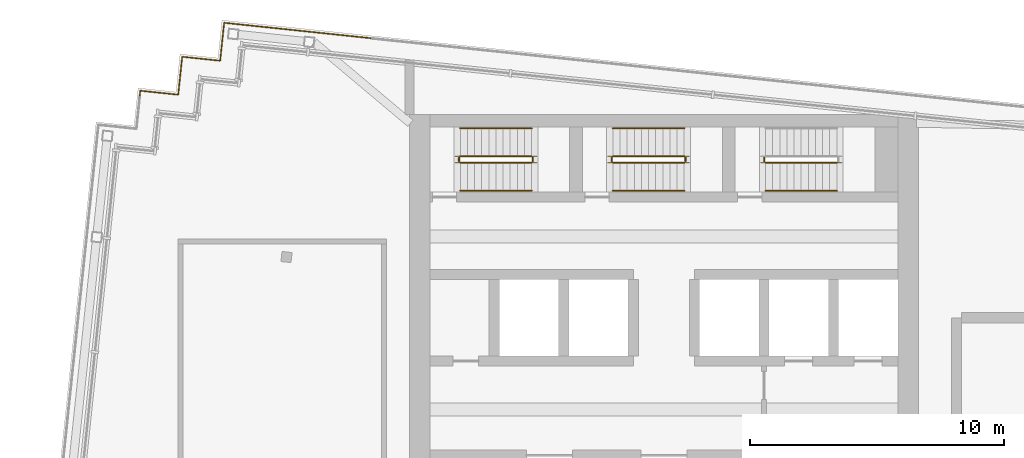
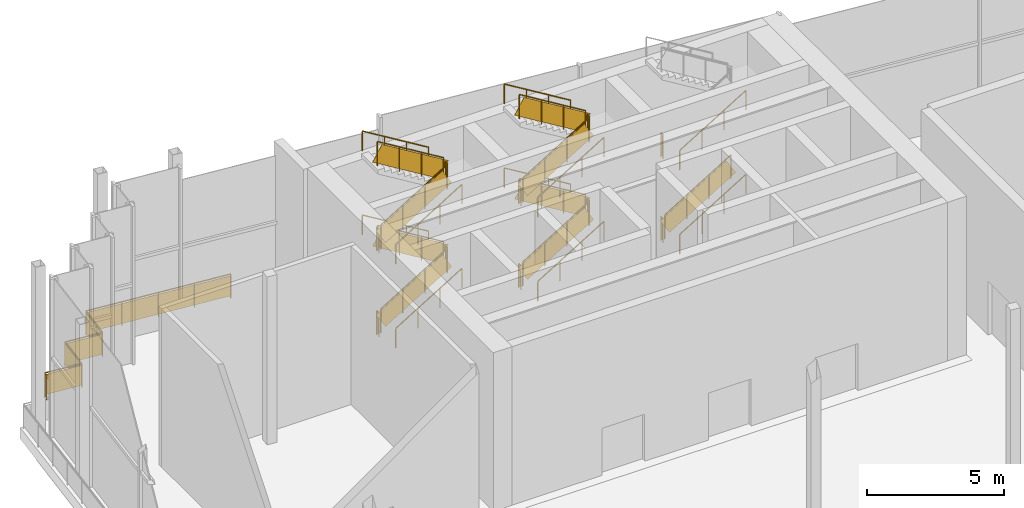
# One storey, part 12 of 14: 30 railings.
"""IFC4 building model written with IfcOpenShell, lengths in metres."""

from ifc_helpers import new_model, si_unit, direction, frame, origin, origin_2d, place, context, subcontext, project, spatial, rectangle, circle, extrude, material, type_object, element, save


model = new_model("IFC4")

# Units and contexts
model_context = context("Model", 3, precision=1e-05, world=origin(), true_north=direction((0.0, 1.0)))
body_context = subcontext(model_context, "Body", "Model", "MODEL_VIEW")
ifc_project = project(units=[si_unit("LENGTHUNIT", "METRE"), si_unit("AREAUNIT", "SQUARE_METRE"), si_unit("VOLUMEUNIT", "CUBIC_METRE"), si_unit("PLANEANGLEUNIT", "RADIAN"), si_unit("MASSUNIT", "GRAM", prefix="KILO")], contexts=[model_context])

# Site, building, storey
site_placement = place(None, origin())
site = spatial("IfcSite", under=ifc_project, at=site_placement, CompositionType="ELEMENT")
building_placement = place(site_placement, origin())
building = spatial("IfcBuilding", under=site, at=building_placement, Name="Vidyagriha Tower", CompositionType="ELEMENT")
storey_placement = place(building_placement, frame((0.0, 0.0, 301.699951171875)))
storey = spatial("IfcBuildingStorey", under=building, at=storey_placement, Name="L78", CompositionType="ELEMENT", Elevation=301.699951171875)

# Railings
ifc_material_1 = material(Name="Steel ASTM A500 Grade C black painted", Category="steel")
railing_type_1 = type_object("IfcRailingType", Name="Gallery guard 1100", PredefinedType="GUARDRAIL", material=ifc_material_1)
railing_1_placement = place(storey_placement, frame((-20.600341796875, 20.727783203125, 0.0)))
element("IfcRailing", 1, at=railing_1_placement, inside=storey, type_object=railing_type_1, Name="Gallery guard L78 9", PredefinedType="GUARDRAIL", context=body_context, shape_type="SweptSolid", body=[
    extrude(circle(Radius=0.02490234375, at=origin_2d()), frame((0.0, 0.0, 1.0751953125), z_axis=(0.10506634941, 0.994465214184, 0.0), x_axis=(-0.994465214184, 0.10506634941, 0.0)), (0.0, 0.0, 1.0), 0.199951171875),
    extrude(circle(Radius=0.02490234375, at=origin_2d()), frame((0.02099609375, 0.19873046875, 1.0751953125), z_axis=(0.994525057048, -0.104498377516, 0.0), x_axis=(0.104498377516, 0.994525057048, 0.0)), (0.0, 0.0, 1.0), 1.5),
    extrude(circle(Radius=0.02490234375, at=origin_2d()), frame((1.5126953125, 0.0419921875, 1.0751953125), z_axis=(0.104498377516, 0.994525057048, 0.0), x_axis=(-0.994525057048, 0.104498377516, 0.0)), (0.0, 0.0, 1.0), 1.5),
    extrude(circle(Radius=0.02490234375, at=origin_2d()), frame((1.66943359375, 1.53369140625, 1.0751953125), z_axis=(0.994525057048, -0.104498377516, 0.0), x_axis=(0.104498377516, 0.994525057048, 0.0)), (0.0, 0.0, 1.0), 1.5),
    extrude(circle(Radius=0.02490234375, at=origin_2d()), frame((3.1611328125, 1.376953125, 1.0751953125), z_axis=(0.104659366031, 0.994508128223, 0.0), x_axis=(-0.994508128223, 0.104659366031, 0.0)), (0.0, 0.0, 1.0), 1.5),
    extrude(circle(Radius=0.02490234375, at=origin_2d()), frame((3.318115234375, 2.86865234375, 1.0751953125), z_axis=(0.994523198252, -0.104516066418, 0.0), x_axis=(0.104516066418, 0.994523198252, 0.0)), (0.0, 0.0, 1.0), 5.800048828125),
    extrude(circle(Radius=0.02001953125, at=origin_2d()), origin(), (0.0, 0.0, 1.0), 1.050048828125),
    extrude(circle(Radius=0.02001953125, at=origin_2d()), frame((0.02099609375, 0.19873046875, 0.0)), (0.0, 0.0, 1.0), 1.050048828125),
    extrude(circle(Radius=0.02001953125, at=origin_2d()), frame((1.5126953125, 0.0419921875, 0.0)), (0.0, 0.0, 1.0), 1.050048828125),
    extrude(circle(Radius=0.02001953125, at=origin_2d()), frame((1.66943359375, 1.53369140625, 0.0)), (0.0, 0.0, 1.0), 1.050048828125),
    extrude(circle(Radius=0.02001953125, at=origin_2d()), frame((3.1611328125, 1.376953125, 0.0)), (0.0, 0.0, 1.0), 1.050048828125),
    extrude(circle(Radius=0.02001953125, at=origin_2d()), frame((3.318115234375, 2.86865234375, 0.0)), (0.0, 0.0, 1.0), 1.050048828125),
    extrude(circle(Radius=0.02001953125, at=origin_2d()), frame((4.76025390625, 2.717041015625, 0.0)), (0.0, 0.0, 1.0), 1.050048828125),
    extrude(circle(Radius=0.02001953125, at=origin_2d()), frame((6.2021484375, 2.5654296875, 0.0)), (0.0, 0.0, 1.0), 1.050048828125),
    extrude(circle(Radius=0.02001953125, at=origin_2d()), frame((7.644287109375, 2.4140625, 0.0)), (0.0, 0.0, 1.0), 1.050048828125),
    extrude(circle(Radius=0.02001953125, at=origin_2d()), frame((9.08642578125, 2.262451171875, 0.0)), (0.0, 0.0, 1.0), 1.050048828125),
    extrude(rectangle(XDim=0.010009765625, YDim=0.900146484375, at=origin_2d()), frame((0.0, 0.0, 0.550048828125), z_axis=(0.10506634941, 0.994465214184, 0.0), x_axis=(-0.994465214184, 0.10506634941, 0.0)), (0.0, 0.0, 1.0), 0.199951171875),
    extrude(rectangle(XDim=0.010009765625, YDim=0.900146484375, at=origin_2d()), frame((0.02099609375, 0.19873046875, 0.550048828125), z_axis=(0.994525057048, -0.104498377516, 0.0), x_axis=(0.104498377516, 0.994525057048, 0.0)), (0.0, 0.0, 1.0), 1.5),
    extrude(rectangle(XDim=0.010009765625, YDim=0.900146484375, at=origin_2d()), frame((1.5126953125, 0.0419921875, 0.550048828125), z_axis=(0.104498377516, 0.994525057048, 0.0), x_axis=(-0.994525057048, 0.104498377516, 0.0)), (0.0, 0.0, 1.0), 1.5),
    extrude(rectangle(XDim=0.010009765625, YDim=0.900146484375, at=origin_2d()), frame((1.66943359375, 1.53369140625, 0.550048828125), z_axis=(0.994525057048, -0.104498377516, 0.0), x_axis=(0.104498377516, 0.994525057048, 0.0)), (0.0, 0.0, 1.0), 1.5),
    extrude(rectangle(XDim=0.010009765625, YDim=0.900146484375, at=origin_2d()), frame((3.1611328125, 1.376953125, 0.550048828125), z_axis=(0.104659366031, 0.994508128223, 0.0), x_axis=(-0.994508128223, 0.104659366031, 0.0)), (0.0, 0.0, 1.0), 1.5),
    extrude(rectangle(XDim=0.010009765625, YDim=0.900146484375, at=origin_2d()), frame((3.318115234375, 2.86865234375, 0.550048828125), z_axis=(0.994523198252, -0.104516066418, 0.0), x_axis=(0.104516066418, 0.994523198252, 0.0)), (0.0, 0.0, 1.0), 5.800048828125),
])
ifc_material_2 = material(Name="Steel ASTM A500 Grade C", Category="steel")
railing_type_2 = type_object("IfcRailingType", Name="Stair guard 1100 mm, steel balustrade", PredefinedType="GUARDRAIL", material=ifc_material_2)
railing_2_placement = place(storey_placement, frame((-8.0, 18.10009765625, 0.17041015625)))
element("IfcRailing", 2, at=railing_2_placement, inside=storey, type_object=railing_type_2, Name="L78 ST1 stair guard 1", PredefinedType="GUARDRAIL", context=body_context, shape_type="SweptSolid", body=[
    extrude(circle(Radius=0.02392578125, at=origin_2d()), frame((0.0, 0.0, 1.076171875), z_axis=(0.854169791009, 0.0, 0.51999420009), x_axis=(0.0, 1.0, 0.0)), (0.0, 0.0, 1.0), 3.278076171875),
    extrude(circle(Radius=0.02099609375, at=origin_2d()), origin(), (0.0, 0.0, 1.0), 1.052001953125),
    extrude(circle(Radius=0.02099609375, at=origin_2d()), frame((0.933349609375, 0.0, 0.568115234375)), (0.0, 0.0, 1.0), 1.052001953125),
    extrude(circle(Radius=0.02099609375, at=origin_2d()), frame((1.86669921875, 0.0, 1.136474609375)), (0.0, 0.0, 1.0), 1.052001953125),
    extrude(circle(Radius=0.02099609375, at=origin_2d()), frame((2.800048828125, 0.0, 1.70458984375)), (0.0, 0.0, 1.0), 1.052001953125),
    extrude(rectangle(XDim=0.010009765625, YDim=0.7705078125, at=origin_2d()), frame((0.0, 0.0, 0.551025390625), z_axis=(0.854169791009, 0.0, 0.51999420009), x_axis=(0.0, 1.0, 0.0)), (0.0, 0.0, 1.0), 3.278076171875),
])
railing_3_placement = place(storey_placement, frame((-5.14990234375, 18.14990234375, 1.875)))
element("IfcRailing", 3, at=railing_3_placement, inside=storey, type_object=railing_type_2, Name="L78 ST1 stair guard 2", PredefinedType="GUARDRAIL", context=body_context, shape_type="SweptSolid", body=[
    extrude(circle(Radius=0.02392578125, at=origin_2d()), frame((0.0, 0.0, 1.076171875), z_axis=(0.0, 1.0, 0.0), x_axis=(-1.0, 0.0, 0.0)), (0.0, 0.0, 1.0), 0.150146484375),
    extrude(circle(Radius=0.02099609375, at=origin_2d()), origin(), (0.0, 0.0, 1.0), 1.052001953125),
    extrude(circle(Radius=0.02099609375, at=origin_2d()), frame((0.0, 0.150146484375, 0.0)), (0.0, 0.0, 1.0), 1.052001953125),
    extrude(rectangle(XDim=0.010009765625, YDim=0.902099609375, at=origin_2d()), frame((0.0, 0.0, 0.551025390625), z_axis=(0.0, 1.0, 0.0), x_axis=(-1.0, 0.0, 0.0)), (0.0, 0.0, 1.0), 0.150146484375),
])
railing_4_placement = place(storey_placement, frame((-5.199951171875, 18.35009765625, 2.04541015625)))
element("IfcRailing", 4, at=railing_4_placement, inside=storey, type_object=railing_type_2, Name="L78 ST1 stair guard 3", PredefinedType="GUARDRAIL", context=body_context, shape_type="SweptSolid", body=[
    extrude(circle(Radius=0.02392578125, at=origin_2d()), frame((0.0, 0.0, 1.076171875), z_axis=(-0.854169791009, 0.0, 0.51999420009), x_axis=(0.0, -1.0, 0.0)), (0.0, 0.0, 1.0), 3.278076171875),
    extrude(circle(Radius=0.02099609375, at=origin_2d()), origin(), (0.0, 0.0, 1.0), 1.052001953125),
    extrude(circle(Radius=0.02099609375, at=origin_2d()), frame((-0.933349609375, 0.0, 0.568115234375)), (0.0, 0.0, 1.0), 1.052001953125),
    extrude(circle(Radius=0.02099609375, at=origin_2d()), frame((-1.86669921875, 0.0, 1.136474609375)), (0.0, 0.0, 1.0), 1.052001953125),
    extrude(circle(Radius=0.02099609375, at=origin_2d()), frame((-2.800048828125, 0.0, 1.70458984375)), (0.0, 0.0, 1.0), 1.052001953125),
    extrude(rectangle(XDim=0.010009765625, YDim=0.7705078125, at=origin_2d()), frame((0.0, 0.0, 0.551025390625), z_axis=(-0.854169791009, 0.0, 0.51999420009), x_axis=(0.0, -1.0, 0.0)), (0.0, 0.0, 1.0), 3.278076171875),
])
railing_5_placement = place(storey_placement, frame((-8.050048828125, 18.14990234375, 3.75)))
element("IfcRailing", 5, at=railing_5_placement, inside=storey, type_object=railing_type_2, Name="L78 ST1 stair guard 4", PredefinedType="GUARDRAIL", context=body_context, shape_type="SweptSolid", body=[
    extrude(circle(Radius=0.02392578125, at=origin_2d()), frame((0.0, 0.0, 1.076171875), z_axis=(0.0, 1.0, 0.0), x_axis=(-1.0, 0.0, 0.0)), (0.0, 0.0, 1.0), 0.150146484375),
    extrude(circle(Radius=0.02099609375, at=origin_2d()), origin(), (0.0, 0.0, 1.0), 1.052001953125),
    extrude(circle(Radius=0.02099609375, at=origin_2d()), frame((0.0, 0.150146484375, 0.0)), (0.0, 0.0, 1.0), 1.052001953125),
    extrude(rectangle(XDim=0.010009765625, YDim=0.902099609375, at=origin_2d()), frame((0.0, 0.0, 0.551025390625), z_axis=(0.0, 1.0, 0.0), x_axis=(-1.0, 0.0, 0.0)), (0.0, 0.0, 1.0), 0.150146484375),
])
railing_6_placement = place(storey_placement, frame((-8.0, 18.10009765625, 3.92041015625)))
element("IfcRailing", 6, at=railing_6_placement, inside=storey, type_object=railing_type_2, Name="L78 ST1 stair guard 5", PredefinedType="GUARDRAIL", context=body_context, shape_type="SweptSolid", body=[
    extrude(circle(Radius=0.02392578125, at=origin_2d()), frame((0.0, 0.0, 1.076171875), z_axis=(0.854169791009, 0.0, 0.51999420009), x_axis=(0.0, 1.0, 0.0)), (0.0, 0.0, 1.0), 3.278076171875),
    extrude(circle(Radius=0.02099609375, at=origin_2d()), origin(), (0.0, 0.0, 1.0), 1.052001953125),
    extrude(circle(Radius=0.02099609375, at=origin_2d()), frame((0.933349609375, 0.0, 0.568115234375)), (0.0, 0.0, 1.0), 1.052001953125),
    extrude(circle(Radius=0.02099609375, at=origin_2d()), frame((1.86669921875, 0.0, 1.136474609375)), (0.0, 0.0, 1.0), 1.052001953125),
    extrude(circle(Radius=0.02099609375, at=origin_2d()), frame((2.800048828125, 0.0, 1.70458984375)), (0.0, 0.0, 1.0), 1.052001953125),
    extrude(rectangle(XDim=0.010009765625, YDim=0.7705078125, at=origin_2d()), frame((0.0, 0.0, 0.551025390625), z_axis=(0.854169791009, 0.0, 0.51999420009), x_axis=(0.0, 1.0, 0.0)), (0.0, 0.0, 1.0), 3.278076171875),
])
railing_7_placement = place(storey_placement, frame((-5.14990234375, 18.14990234375, 5.625)))
element("IfcRailing", 7, at=railing_7_placement, inside=storey, type_object=railing_type_2, Name="L78 ST1 stair guard 6", PredefinedType="GUARDRAIL", context=body_context, shape_type="SweptSolid", body=[
    extrude(circle(Radius=0.02392578125, at=origin_2d()), frame((0.0, 0.0, 1.076171875), z_axis=(0.0, 1.0, 0.0), x_axis=(-1.0, 0.0, 0.0)), (0.0, 0.0, 1.0), 0.150146484375),
    extrude(circle(Radius=0.02099609375, at=origin_2d()), origin(), (0.0, 0.0, 1.0), 1.052001953125),
    extrude(circle(Radius=0.02099609375, at=origin_2d()), frame((0.0, 0.150146484375, 0.0)), (0.0, 0.0, 1.0), 1.052001953125),
    extrude(rectangle(XDim=0.010009765625, YDim=0.902099609375, at=origin_2d()), frame((0.0, 0.0, 0.551025390625), z_axis=(0.0, 1.0, 0.0), x_axis=(-1.0, 0.0, 0.0)), (0.0, 0.0, 1.0), 0.150146484375),
])
railing_8_placement = place(storey_placement, frame((-5.199951171875, 18.35009765625, 5.79541015625)))
element("IfcRailing", 8, at=railing_8_placement, inside=storey, type_object=railing_type_2, Name="L78 ST1 stair guard 7", PredefinedType="GUARDRAIL", context=body_context, shape_type="SweptSolid", body=[
    extrude(circle(Radius=0.02392578125, at=origin_2d()), frame((0.0, 0.0, 1.076171875), z_axis=(-0.854169791009, 0.0, 0.51999420009), x_axis=(0.0, -1.0, 0.0)), (0.0, 0.0, 1.0), 3.278076171875),
    extrude(circle(Radius=0.02099609375, at=origin_2d()), origin(), (0.0, 0.0, 1.0), 1.052001953125),
    extrude(circle(Radius=0.02099609375, at=origin_2d()), frame((-0.933349609375, 0.0, 0.568115234375)), (0.0, 0.0, 1.0), 1.052001953125),
    extrude(circle(Radius=0.02099609375, at=origin_2d()), frame((-1.86669921875, 0.0, 1.136474609375)), (0.0, 0.0, 1.0), 1.052001953125),
    extrude(circle(Radius=0.02099609375, at=origin_2d()), frame((-2.800048828125, 0.0, 1.70458984375)), (0.0, 0.0, 1.0), 1.052001953125),
    extrude(rectangle(XDim=0.010009765625, YDim=0.7705078125, at=origin_2d()), frame((0.0, 0.0, 0.551025390625), z_axis=(-0.854169791009, 0.0, 0.51999420009), x_axis=(0.0, -1.0, 0.0)), (0.0, 0.0, 1.0), 3.278076171875),
])
railing_9_placement = place(storey_placement, frame((-8.050048828125, 18.14990234375, 0.0)))
element("IfcRailing", 9, at=railing_9_placement, inside=storey, type_object=railing_type_2, Name="L78 ST1 stair guard 8", PredefinedType="GUARDRAIL", context=body_context, shape_type="SweptSolid", body=[
    extrude(circle(Radius=0.02392578125, at=origin_2d()), frame((0.0, 0.0, 1.076171875), z_axis=(0.0, 1.0, 0.0), x_axis=(-1.0, 0.0, 0.0)), (0.0, 0.0, 1.0), 0.150146484375),
    extrude(circle(Radius=0.02099609375, at=origin_2d()), origin(), (0.0, 0.0, 1.0), 1.052001953125),
    extrude(circle(Radius=0.02099609375, at=origin_2d()), frame((0.0, 0.150146484375, 0.0)), (0.0, 0.0, 1.0), 1.052001953125),
    extrude(rectangle(XDim=0.010009765625, YDim=0.902099609375, at=origin_2d()), frame((0.0, 0.0, 0.551025390625), z_axis=(0.0, 1.0, 0.0), x_axis=(-1.0, 0.0, 0.0)), (0.0, 0.0, 1.0), 0.150146484375),
])
railing_10_placement = place(storey_placement, frame((-2.0, 18.10009765625, 0.17041015625)))
element("IfcRailing", 10, at=railing_10_placement, inside=storey, type_object=railing_type_2, Name="L78 ST2 stair guard 1", PredefinedType="GUARDRAIL", context=body_context, shape_type="SweptSolid", body=[
    extrude(circle(Radius=0.02392578125, at=origin_2d()), frame((0.0, 0.0, 1.076171875), z_axis=(0.854169791009, 0.0, 0.51999420009), x_axis=(0.0, 1.0, 0.0)), (0.0, 0.0, 1.0), 3.278076171875),
    extrude(circle(Radius=0.02099609375, at=origin_2d()), origin(), (0.0, 0.0, 1.0), 1.052001953125),
    extrude(circle(Radius=0.02099609375, at=origin_2d()), frame((0.933349609375, 0.0, 0.568115234375)), (0.0, 0.0, 1.0), 1.052001953125),
    extrude(circle(Radius=0.02099609375, at=origin_2d()), frame((1.86669921875, 0.0, 1.136474609375)), (0.0, 0.0, 1.0), 1.052001953125),
    extrude(circle(Radius=0.02099609375, at=origin_2d()), frame((2.800048828125, 0.0, 1.70458984375)), (0.0, 0.0, 1.0), 1.052001953125),
    extrude(rectangle(XDim=0.010009765625, YDim=0.7705078125, at=origin_2d()), frame((0.0, 0.0, 0.551025390625), z_axis=(0.854169791009, 0.0, 0.51999420009), x_axis=(0.0, 1.0, 0.0)), (0.0, 0.0, 1.0), 3.278076171875),
])
railing_11_placement = place(storey_placement, frame((0.85009765625, 18.14990234375, 1.875)))
element("IfcRailing", 11, at=railing_11_placement, inside=storey, type_object=railing_type_2, Name="L78 ST2 stair guard 2", PredefinedType="GUARDRAIL", context=body_context, shape_type="SweptSolid", body=[
    extrude(circle(Radius=0.02392578125, at=origin_2d()), frame((0.0, 0.0, 1.076171875), z_axis=(0.0, 1.0, 0.0), x_axis=(-1.0, 0.0, 0.0)), (0.0, 0.0, 1.0), 0.150146484375),
    extrude(circle(Radius=0.02099609375, at=origin_2d()), origin(), (0.0, 0.0, 1.0), 1.052001953125),
    extrude(circle(Radius=0.02099609375, at=origin_2d()), frame((0.0, 0.150146484375, 0.0)), (0.0, 0.0, 1.0), 1.052001953125),
    extrude(rectangle(XDim=0.010009765625, YDim=0.902099609375, at=origin_2d()), frame((0.0, 0.0, 0.551025390625), z_axis=(0.0, 1.0, 0.0), x_axis=(-1.0, 0.0, 0.0)), (0.0, 0.0, 1.0), 0.150146484375),
])
railing_12_placement = place(storey_placement, frame((0.800048828125, 18.35009765625, 2.04541015625)))
element("IfcRailing", 12, at=railing_12_placement, inside=storey, type_object=railing_type_2, Name="L78 ST2 stair guard 3", PredefinedType="GUARDRAIL", context=body_context, shape_type="SweptSolid", body=[
    extrude(circle(Radius=0.02392578125, at=origin_2d()), frame((0.0, 0.0, 1.076171875), z_axis=(-0.854169791009, 0.0, 0.51999420009), x_axis=(0.0, -1.0, 0.0)), (0.0, 0.0, 1.0), 3.278076171875),
    extrude(circle(Radius=0.02099609375, at=origin_2d()), origin(), (0.0, 0.0, 1.0), 1.052001953125),
    extrude(circle(Radius=0.02099609375, at=origin_2d()), frame((-0.933349609375, 0.0, 0.568115234375)), (0.0, 0.0, 1.0), 1.052001953125),
    extrude(circle(Radius=0.02099609375, at=origin_2d()), frame((-1.86669921875, 0.0, 1.136474609375)), (0.0, 0.0, 1.0), 1.052001953125),
    extrude(circle(Radius=0.02099609375, at=origin_2d()), frame((-2.800048828125, 0.0, 1.70458984375)), (0.0, 0.0, 1.0), 1.052001953125),
    extrude(rectangle(XDim=0.010009765625, YDim=0.7705078125, at=origin_2d()), frame((0.0, 0.0, 0.551025390625), z_axis=(-0.854169791009, 0.0, 0.51999420009), x_axis=(0.0, -1.0, 0.0)), (0.0, 0.0, 1.0), 3.278076171875),
])
railing_13_placement = place(storey_placement, frame((-2.050048828125, 18.14990234375, 3.75)))
element("IfcRailing", 13, at=railing_13_placement, inside=storey, type_object=railing_type_2, Name="L78 ST2 stair guard 4", PredefinedType="GUARDRAIL", context=body_context, shape_type="SweptSolid", body=[
    extrude(circle(Radius=0.02392578125, at=origin_2d()), frame((0.0, 0.0, 1.076171875), z_axis=(0.0, 1.0, 0.0), x_axis=(-1.0, 0.0, 0.0)), (0.0, 0.0, 1.0), 0.150146484375),
    extrude(circle(Radius=0.02099609375, at=origin_2d()), origin(), (0.0, 0.0, 1.0), 1.052001953125),
    extrude(circle(Radius=0.02099609375, at=origin_2d()), frame((0.0, 0.150146484375, 0.0)), (0.0, 0.0, 1.0), 1.052001953125),
    extrude(rectangle(XDim=0.010009765625, YDim=0.902099609375, at=origin_2d()), frame((0.0, 0.0, 0.551025390625), z_axis=(0.0, 1.0, 0.0), x_axis=(-1.0, 0.0, 0.0)), (0.0, 0.0, 1.0), 0.150146484375),
])
railing_14_placement = place(storey_placement, frame((-2.0, 18.10009765625, 3.92041015625)))
element("IfcRailing", 14, at=railing_14_placement, inside=storey, type_object=railing_type_2, Name="L78 ST2 stair guard 5", PredefinedType="GUARDRAIL", context=body_context, shape_type="SweptSolid", body=[
    extrude(circle(Radius=0.02392578125, at=origin_2d()), frame((0.0, 0.0, 1.076171875), z_axis=(0.854169791009, 0.0, 0.51999420009), x_axis=(0.0, 1.0, 0.0)), (0.0, 0.0, 1.0), 3.278076171875),
    extrude(circle(Radius=0.02099609375, at=origin_2d()), origin(), (0.0, 0.0, 1.0), 1.052001953125),
    extrude(circle(Radius=0.02099609375, at=origin_2d()), frame((0.933349609375, 0.0, 0.568115234375)), (0.0, 0.0, 1.0), 1.052001953125),
    extrude(circle(Radius=0.02099609375, at=origin_2d()), frame((1.86669921875, 0.0, 1.136474609375)), (0.0, 0.0, 1.0), 1.052001953125),
    extrude(circle(Radius=0.02099609375, at=origin_2d()), frame((2.800048828125, 0.0, 1.70458984375)), (0.0, 0.0, 1.0), 1.052001953125),
    extrude(rectangle(XDim=0.010009765625, YDim=0.7705078125, at=origin_2d()), frame((0.0, 0.0, 0.551025390625), z_axis=(0.854169791009, 0.0, 0.51999420009), x_axis=(0.0, 1.0, 0.0)), (0.0, 0.0, 1.0), 3.278076171875),
])
railing_15_placement = place(storey_placement, frame((0.85009765625, 18.14990234375, 5.625)))
element("IfcRailing", 15, at=railing_15_placement, inside=storey, type_object=railing_type_2, Name="L78 ST2 stair guard 6", PredefinedType="GUARDRAIL", context=body_context, shape_type="SweptSolid", body=[
    extrude(circle(Radius=0.02392578125, at=origin_2d()), frame((0.0, 0.0, 1.076171875), z_axis=(0.0, 1.0, 0.0), x_axis=(-1.0, 0.0, 0.0)), (0.0, 0.0, 1.0), 0.150146484375),
    extrude(circle(Radius=0.02099609375, at=origin_2d()), origin(), (0.0, 0.0, 1.0), 1.052001953125),
    extrude(circle(Radius=0.02099609375, at=origin_2d()), frame((0.0, 0.150146484375, 0.0)), (0.0, 0.0, 1.0), 1.052001953125),
    extrude(rectangle(XDim=0.010009765625, YDim=0.902099609375, at=origin_2d()), frame((0.0, 0.0, 0.551025390625), z_axis=(0.0, 1.0, 0.0), x_axis=(-1.0, 0.0, 0.0)), (0.0, 0.0, 1.0), 0.150146484375),
])
railing_16_placement = place(storey_placement, frame((0.800048828125, 18.35009765625, 5.79541015625)))
element("IfcRailing", 16, at=railing_16_placement, inside=storey, type_object=railing_type_2, Name="L78 ST2 stair guard 7", PredefinedType="GUARDRAIL", context=body_context, shape_type="SweptSolid", body=[
    extrude(circle(Radius=0.02392578125, at=origin_2d()), frame((0.0, 0.0, 1.076171875), z_axis=(-0.854169791009, 0.0, 0.51999420009), x_axis=(0.0, -1.0, 0.0)), (0.0, 0.0, 1.0), 3.278076171875),
    extrude(circle(Radius=0.02099609375, at=origin_2d()), origin(), (0.0, 0.0, 1.0), 1.052001953125),
    extrude(circle(Radius=0.02099609375, at=origin_2d()), frame((-0.933349609375, 0.0, 0.568115234375)), (0.0, 0.0, 1.0), 1.052001953125),
    extrude(circle(Radius=0.02099609375, at=origin_2d()), frame((-1.86669921875, 0.0, 1.136474609375)), (0.0, 0.0, 1.0), 1.052001953125),
    extrude(circle(Radius=0.02099609375, at=origin_2d()), frame((-2.800048828125, 0.0, 1.70458984375)), (0.0, 0.0, 1.0), 1.052001953125),
    extrude(rectangle(XDim=0.010009765625, YDim=0.7705078125, at=origin_2d()), frame((0.0, 0.0, 0.551025390625), z_axis=(-0.854169791009, 0.0, 0.51999420009), x_axis=(0.0, -1.0, 0.0)), (0.0, 0.0, 1.0), 3.278076171875),
])
railing_17_placement = place(storey_placement, frame((-2.050048828125, 18.14990234375, 0.0)))
element("IfcRailing", 17, at=railing_17_placement, inside=storey, type_object=railing_type_2, Name="L78 ST2 stair guard 8", PredefinedType="GUARDRAIL", context=body_context, shape_type="SweptSolid", body=[
    extrude(circle(Radius=0.02392578125, at=origin_2d()), frame((0.0, 0.0, 1.076171875), z_axis=(0.0, 1.0, 0.0), x_axis=(-1.0, 0.0, 0.0)), (0.0, 0.0, 1.0), 0.150146484375),
    extrude(circle(Radius=0.02099609375, at=origin_2d()), origin(), (0.0, 0.0, 1.0), 1.052001953125),
    extrude(circle(Radius=0.02099609375, at=origin_2d()), frame((0.0, 0.150146484375, 0.0)), (0.0, 0.0, 1.0), 1.052001953125),
    extrude(rectangle(XDim=0.010009765625, YDim=0.902099609375, at=origin_2d()), frame((0.0, 0.0, 0.551025390625), z_axis=(0.0, 1.0, 0.0), x_axis=(-1.0, 0.0, 0.0)), (0.0, 0.0, 1.0), 0.150146484375),
])
railing_18_placement = place(storey_placement, frame((4.0, 18.10009765625, 0.17041015625)))
element("IfcRailing", 18, at=railing_18_placement, inside=storey, type_object=railing_type_2, Name="L78 ST3 stair guard 1", PredefinedType="GUARDRAIL", context=body_context, shape_type="SweptSolid", body=[
    extrude(circle(Radius=0.02392578125, at=origin_2d()), frame((0.0, 0.0, 1.076171875), z_axis=(0.854169791009, 0.0, 0.51999420009), x_axis=(0.0, 1.0, 0.0)), (0.0, 0.0, 1.0), 3.278076171875),
    extrude(circle(Radius=0.02099609375, at=origin_2d()), origin(), (0.0, 0.0, 1.0), 1.052001953125),
    extrude(circle(Radius=0.02099609375, at=origin_2d()), frame((0.933349609375, 0.0, 0.568115234375)), (0.0, 0.0, 1.0), 1.052001953125),
    extrude(circle(Radius=0.02099609375, at=origin_2d()), frame((1.86669921875, 0.0, 1.136474609375)), (0.0, 0.0, 1.0), 1.052001953125),
    extrude(circle(Radius=0.02099609375, at=origin_2d()), frame((2.800048828125, 0.0, 1.70458984375)), (0.0, 0.0, 1.0), 1.052001953125),
    extrude(rectangle(XDim=0.010009765625, YDim=0.7705078125, at=origin_2d()), frame((0.0, 0.0, 0.551025390625), z_axis=(0.854169791009, 0.0, 0.51999420009), x_axis=(0.0, 1.0, 0.0)), (0.0, 0.0, 1.0), 3.278076171875),
])
for number, where, name in (
    (19, (3.949951171875, 18.14990234375, 3.75), "L78 ST3 stair guard 4"),
    (20, (3.949951171875, 18.14990234375, 0.0), "L78 ST3 stair guard 8"),
):
    element("IfcRailing", number, at=place(storey_placement, frame(where)), inside=storey, type_object=railing_type_2, Name=name, PredefinedType="GUARDRAIL", context=body_context, shape_type="SweptSolid", body=[
        extrude(circle(Radius=0.02392578125, at=origin_2d()), frame((0.0, 0.0, 1.076171875), z_axis=(0.0, 1.0, 0.0), x_axis=(-1.0, 0.0, 0.0)), (0.0, 0.0, 1.0), 0.150146484375),
        extrude(circle(Radius=0.02099609375, at=origin_2d()), origin(), (0.0, 0.0, 1.0), 1.052001953125),
        extrude(circle(Radius=0.02099609375, at=origin_2d()), frame((0.0, 0.150146484375, 0.0)), (0.0, 0.0, 1.0), 1.052001953125),
        extrude(rectangle(XDim=0.010009765625, YDim=0.902099609375, at=origin_2d()), frame((0.0, 0.0, 0.551025390625), z_axis=(0.0, 1.0, 0.0), x_axis=(-1.0, 0.0, 0.0)), (0.0, 0.0, 1.0), 0.150146484375),
    ])
ifc_material_3 = material(Name="Steel ASTM A500 Grade C", Category="steel")
railing_type_3 = type_object("IfcRailingType", Name="Stair handrail 900 mm, steel", PredefinedType="HANDRAIL", material=ifc_material_3)
railing_19_placement = place(storey_placement, frame((-8.0, 17.0, 0.17041015625)))
element("IfcRailing", 21, at=railing_19_placement, inside=storey, type_object=railing_type_3, Name="L78 ST1 stair handrail 1", PredefinedType="HANDRAIL", context=body_context, shape_type="SweptSolid", body=[
    extrude(circle(Radius=0.02392578125, at=origin_2d()), frame((0.0, 0.0, 0.8759765625), z_axis=(0.854169791009, 0.0, 0.51999420009), x_axis=(0.0, 1.0, 0.0)), (0.0, 0.0, 1.0), 3.278076171875),
    extrude(circle(Radius=0.02099609375, at=origin_2d()), origin(), (0.0, 0.0, 1.0), 0.851806640625),
    extrude(circle(Radius=0.02099609375, at=origin_2d()), frame((0.933349609375, 0.0, 0.568115234375)), (0.0, 0.0, 1.0), 0.851806640625),
    extrude(circle(Radius=0.02099609375, at=origin_2d()), frame((1.86669921875, 0.0, 1.136474609375)), (0.0, 0.0, 1.0), 0.851806640625),
    extrude(circle(Radius=0.02099609375, at=origin_2d()), frame((2.800048828125, 0.0, 1.70458984375)), (0.0, 0.0, 1.0), 0.851806640625),
])
railing_20_placement = place(storey_placement, frame((-5.199951171875, 19.449951171875, 2.04541015625)))
element("IfcRailing", 22, at=railing_20_placement, inside=storey, type_object=railing_type_3, Name="L78 ST1 stair handrail 2", PredefinedType="HANDRAIL", context=body_context, shape_type="SweptSolid", body=[
    extrude(circle(Radius=0.02392578125, at=origin_2d()), frame((0.0, 0.0, 0.8759765625), z_axis=(-0.854169791009, 0.0, 0.51999420009), x_axis=(0.0, -1.0, 0.0)), (0.0, 0.0, 1.0), 3.278076171875),
    extrude(circle(Radius=0.02099609375, at=origin_2d()), origin(), (0.0, 0.0, 1.0), 0.851806640625),
    extrude(circle(Radius=0.02099609375, at=origin_2d()), frame((-0.933349609375, 0.0, 0.568115234375)), (0.0, 0.0, 1.0), 0.851806640625),
    extrude(circle(Radius=0.02099609375, at=origin_2d()), frame((-1.86669921875, 0.0, 1.136474609375)), (0.0, 0.0, 1.0), 0.851806640625),
    extrude(circle(Radius=0.02099609375, at=origin_2d()), frame((-2.800048828125, 0.0, 1.70458984375)), (0.0, 0.0, 1.0), 0.851806640625),
])
railing_21_placement = place(storey_placement, frame((-8.0, 17.0, 3.92041015625)))
element("IfcRailing", 23, at=railing_21_placement, inside=storey, type_object=railing_type_3, Name="L78 ST1 stair handrail 3", PredefinedType="HANDRAIL", context=body_context, shape_type="SweptSolid", body=[
    extrude(circle(Radius=0.02392578125, at=origin_2d()), frame((0.0, 0.0, 0.8759765625), z_axis=(0.854169791009, 0.0, 0.51999420009), x_axis=(0.0, 1.0, 0.0)), (0.0, 0.0, 1.0), 3.278076171875),
    extrude(circle(Radius=0.02099609375, at=origin_2d()), origin(), (0.0, 0.0, 1.0), 0.851806640625),
    extrude(circle(Radius=0.02099609375, at=origin_2d()), frame((0.933349609375, 0.0, 0.568115234375)), (0.0, 0.0, 1.0), 0.851806640625),
    extrude(circle(Radius=0.02099609375, at=origin_2d()), frame((1.86669921875, 0.0, 1.136474609375)), (0.0, 0.0, 1.0), 0.851806640625),
    extrude(circle(Radius=0.02099609375, at=origin_2d()), frame((2.800048828125, 0.0, 1.70458984375)), (0.0, 0.0, 1.0), 0.851806640625),
])
railing_22_placement = place(storey_placement, frame((-5.199951171875, 19.449951171875, 5.79541015625)))
element("IfcRailing", 24, at=railing_22_placement, inside=storey, type_object=railing_type_3, Name="L78 ST1 stair handrail 4", PredefinedType="HANDRAIL", context=body_context, shape_type="SweptSolid", body=[
    extrude(circle(Radius=0.02392578125, at=origin_2d()), frame((0.0, 0.0, 0.8759765625), z_axis=(-0.854169791009, 0.0, 0.51999420009), x_axis=(0.0, -1.0, 0.0)), (0.0, 0.0, 1.0), 3.278076171875),
    extrude(circle(Radius=0.02099609375, at=origin_2d()), origin(), (0.0, 0.0, 1.0), 0.851806640625),
    extrude(circle(Radius=0.02099609375, at=origin_2d()), frame((-0.933349609375, 0.0, 0.568115234375)), (0.0, 0.0, 1.0), 0.851806640625),
    extrude(circle(Radius=0.02099609375, at=origin_2d()), frame((-1.86669921875, 0.0, 1.136474609375)), (0.0, 0.0, 1.0), 0.851806640625),
    extrude(circle(Radius=0.02099609375, at=origin_2d()), frame((-2.800048828125, 0.0, 1.70458984375)), (0.0, 0.0, 1.0), 0.851806640625),
])
railing_23_placement = place(storey_placement, frame((-2.0, 17.0, 0.17041015625)))
element("IfcRailing", 25, at=railing_23_placement, inside=storey, type_object=railing_type_3, Name="L78 ST2 stair handrail 1", PredefinedType="HANDRAIL", context=body_context, shape_type="SweptSolid", body=[
    extrude(circle(Radius=0.02392578125, at=origin_2d()), frame((0.0, 0.0, 0.8759765625), z_axis=(0.854169791009, 0.0, 0.51999420009), x_axis=(0.0, 1.0, 0.0)), (0.0, 0.0, 1.0), 3.278076171875),
    extrude(circle(Radius=0.02099609375, at=origin_2d()), origin(), (0.0, 0.0, 1.0), 0.851806640625),
    extrude(circle(Radius=0.02099609375, at=origin_2d()), frame((0.933349609375, 0.0, 0.568115234375)), (0.0, 0.0, 1.0), 0.851806640625),
    extrude(circle(Radius=0.02099609375, at=origin_2d()), frame((1.86669921875, 0.0, 1.136474609375)), (0.0, 0.0, 1.0), 0.851806640625),
    extrude(circle(Radius=0.02099609375, at=origin_2d()), frame((2.800048828125, 0.0, 1.70458984375)), (0.0, 0.0, 1.0), 0.851806640625),
])
railing_24_placement = place(storey_placement, frame((0.800048828125, 19.449951171875, 2.04541015625)))
element("IfcRailing", 26, at=railing_24_placement, inside=storey, type_object=railing_type_3, Name="L78 ST2 stair handrail 2", PredefinedType="HANDRAIL", context=body_context, shape_type="SweptSolid", body=[
    extrude(circle(Radius=0.02392578125, at=origin_2d()), frame((0.0, 0.0, 0.8759765625), z_axis=(-0.854169791009, 0.0, 0.51999420009), x_axis=(0.0, -1.0, 0.0)), (0.0, 0.0, 1.0), 3.278076171875),
    extrude(circle(Radius=0.02099609375, at=origin_2d()), origin(), (0.0, 0.0, 1.0), 0.851806640625),
    extrude(circle(Radius=0.02099609375, at=origin_2d()), frame((-0.933349609375, 0.0, 0.568115234375)), (0.0, 0.0, 1.0), 0.851806640625),
    extrude(circle(Radius=0.02099609375, at=origin_2d()), frame((-1.86669921875, 0.0, 1.136474609375)), (0.0, 0.0, 1.0), 0.851806640625),
    extrude(circle(Radius=0.02099609375, at=origin_2d()), frame((-2.800048828125, 0.0, 1.70458984375)), (0.0, 0.0, 1.0), 0.851806640625),
])
railing_25_placement = place(storey_placement, frame((-2.0, 17.0, 3.92041015625)))
element("IfcRailing", 27, at=railing_25_placement, inside=storey, type_object=railing_type_3, Name="L78 ST2 stair handrail 3", PredefinedType="HANDRAIL", context=body_context, shape_type="SweptSolid", body=[
    extrude(circle(Radius=0.02392578125, at=origin_2d()), frame((0.0, 0.0, 0.8759765625), z_axis=(0.854169791009, 0.0, 0.51999420009), x_axis=(0.0, 1.0, 0.0)), (0.0, 0.0, 1.0), 3.278076171875),
    extrude(circle(Radius=0.02099609375, at=origin_2d()), origin(), (0.0, 0.0, 1.0), 0.851806640625),
    extrude(circle(Radius=0.02099609375, at=origin_2d()), frame((0.933349609375, 0.0, 0.568115234375)), (0.0, 0.0, 1.0), 0.851806640625),
    extrude(circle(Radius=0.02099609375, at=origin_2d()), frame((1.86669921875, 0.0, 1.136474609375)), (0.0, 0.0, 1.0), 0.851806640625),
    extrude(circle(Radius=0.02099609375, at=origin_2d()), frame((2.800048828125, 0.0, 1.70458984375)), (0.0, 0.0, 1.0), 0.851806640625),
])
railing_26_placement = place(storey_placement, frame((0.800048828125, 19.449951171875, 5.79541015625)))
element("IfcRailing", 28, at=railing_26_placement, inside=storey, type_object=railing_type_3, Name="L78 ST2 stair handrail 4", PredefinedType="HANDRAIL", context=body_context, shape_type="SweptSolid", body=[
    extrude(circle(Radius=0.02392578125, at=origin_2d()), frame((0.0, 0.0, 0.8759765625), z_axis=(-0.854169791009, 0.0, 0.51999420009), x_axis=(0.0, -1.0, 0.0)), (0.0, 0.0, 1.0), 3.278076171875),
    extrude(circle(Radius=0.02099609375, at=origin_2d()), origin(), (0.0, 0.0, 1.0), 0.851806640625),
    extrude(circle(Radius=0.02099609375, at=origin_2d()), frame((-0.933349609375, 0.0, 0.568115234375)), (0.0, 0.0, 1.0), 0.851806640625),
    extrude(circle(Radius=0.02099609375, at=origin_2d()), frame((-1.86669921875, 0.0, 1.136474609375)), (0.0, 0.0, 1.0), 0.851806640625),
    extrude(circle(Radius=0.02099609375, at=origin_2d()), frame((-2.800048828125, 0.0, 1.70458984375)), (0.0, 0.0, 1.0), 0.851806640625),
])
for number, where, name in (
    (29, (4.0, 17.0, 0.17041015625), "L78 ST3 stair handrail 1"),
    (30, (4.0, 17.0, 3.92041015625), "L78 ST3 stair handrail 3"),
):
    element("IfcRailing", number, at=place(storey_placement, frame(where)), inside=storey, type_object=railing_type_3, Name=name, PredefinedType="HANDRAIL", context=body_context, shape_type="SweptSolid", body=[
        extrude(circle(Radius=0.02392578125, at=origin_2d()), frame((0.0, 0.0, 0.8759765625), z_axis=(0.854169791009, 0.0, 0.51999420009), x_axis=(0.0, 1.0, 0.0)), (0.0, 0.0, 1.0), 3.278076171875),
        extrude(circle(Radius=0.02099609375, at=origin_2d()), origin(), (0.0, 0.0, 1.0), 0.851806640625),
        extrude(circle(Radius=0.02099609375, at=origin_2d()), frame((0.933349609375, 0.0, 0.568115234375)), (0.0, 0.0, 1.0), 0.851806640625),
        extrude(circle(Radius=0.02099609375, at=origin_2d()), frame((1.86669921875, 0.0, 1.136474609375)), (0.0, 0.0, 1.0), 0.851806640625),
        extrude(circle(Radius=0.02099609375, at=origin_2d()), frame((2.800048828125, 0.0, 1.70458984375)), (0.0, 0.0, 1.0), 0.851806640625),
    ])

save(model, "model.ifc")
